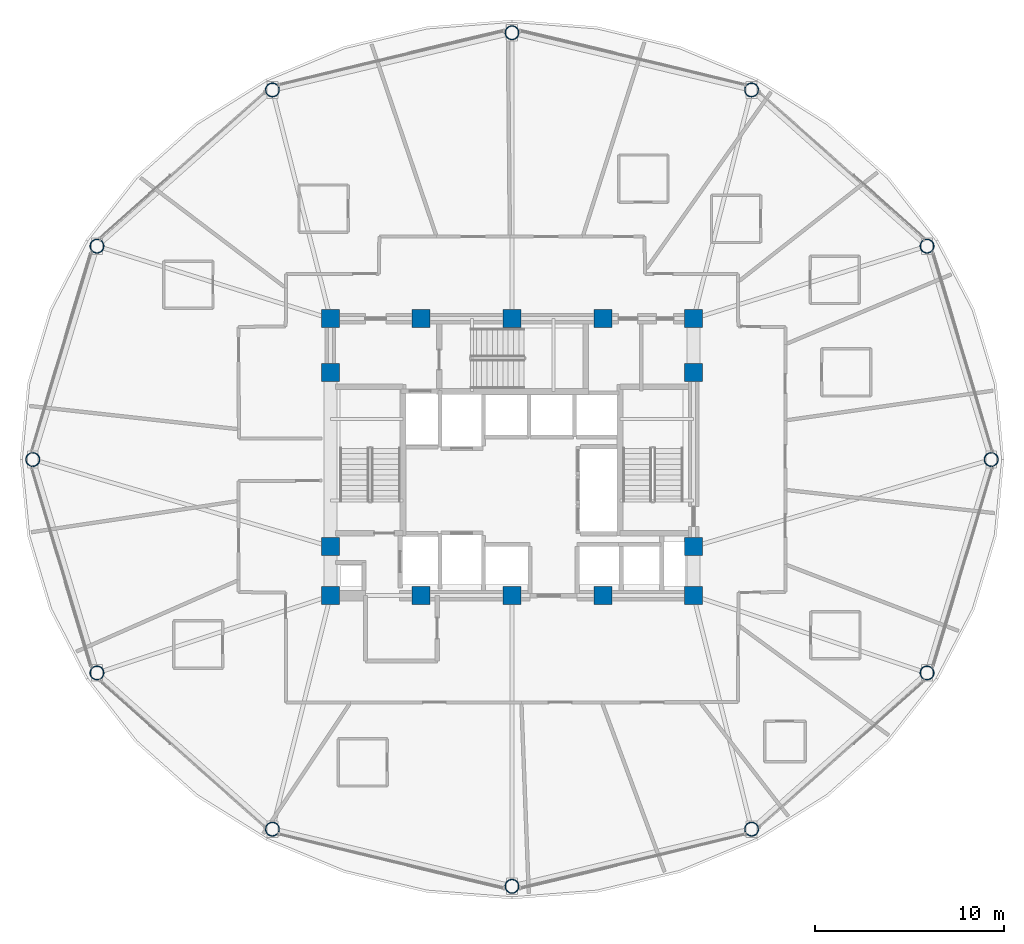
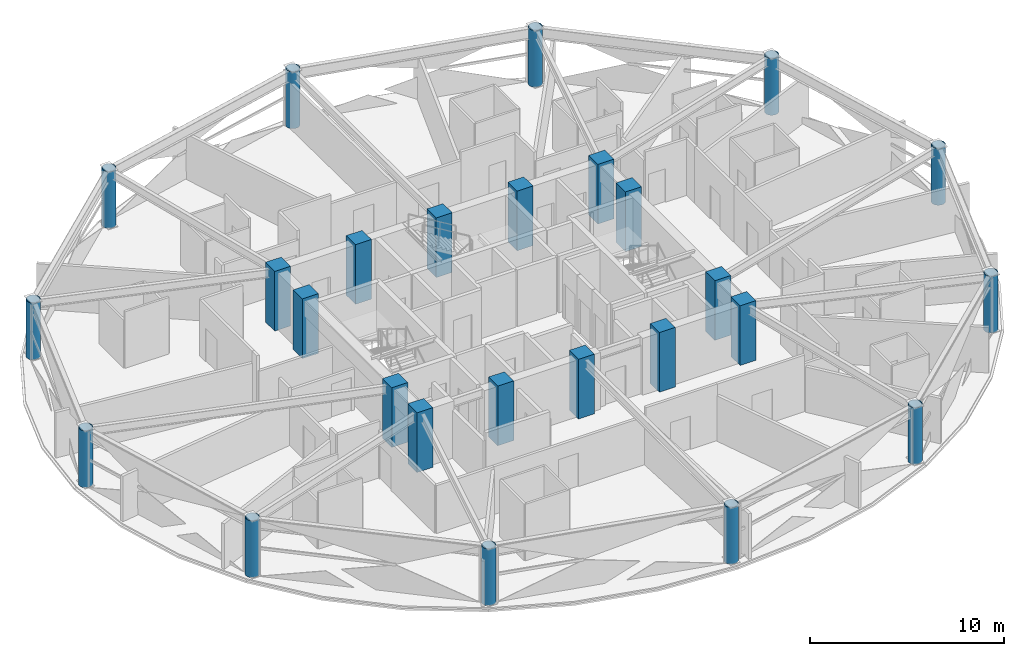
# One storey, part 1 of 31: 26 columns.
"""IFC4 building model written with IfcOpenShell, lengths in metres."""

from ifc_helpers import new_model, si_unit, direction, frame, origin, origin_2d, place, context, subcontext, project, spatial, rectangle, hollow_circle, extrude, material, material_profile, profile_set, type_object, element, save


model = new_model("IFC4")

# Units and contexts
model_context = context("Model", 3, precision=1e-05, world=origin(), true_north=direction((0.0, 1.0)))
body_context = subcontext(model_context, "Body", "Model", "MODEL_VIEW")
ifc_project = project(units=[si_unit("LENGTHUNIT", "METRE"), si_unit("AREAUNIT", "SQUARE_METRE"), si_unit("VOLUMEUNIT", "CUBIC_METRE"), si_unit("PLANEANGLEUNIT", "RADIAN"), si_unit("MASSUNIT", "GRAM", prefix="KILO")], contexts=[model_context])

# Site, building, storey
site_placement = place(None, origin())
site = spatial("IfcSite", under=ifc_project, at=site_placement, CompositionType="ELEMENT")
building_placement = place(site_placement, origin())
building = spatial("IfcBuilding", under=site, at=building_placement, Name="Vantalir Tower", CompositionType="ELEMENT")
storey_placement = place(building_placement, frame((0.0, 0.0, 123.449951171875)))
storey = spatial("IfcBuildingStorey", under=building, at=storey_placement, Name="L30", CompositionType="ELEMENT", Elevation=123.449951171875)

# Columns
ifc_material_1 = material(Name="Concrete C60/75", Category="concrete")
ifc_material_profile_1 = material_profile(ifc_material_1, rectangle(XDim=0.949951171875, YDim=0.949951171875, at=origin_2d()), Name="Concrete C60/75")
ifc_profile_set_1 = profile_set([ifc_material_profile_1], Name="Concrete C60/75")
column_type_1 = type_object("IfcColumnType", Name="COL-CC-950", PredefinedType="COLUMN", material=ifc_profile_set_1)
for number, where, z_axis, x_axis, name in (
    (1, (21.89990234375, 17.800048828125, 0.0), (0.0, 0.0, 1.0), (1.0, 0.0, 0.0), "L30 Core Column CC01"),
    (2, (26.699951171875, 17.800048828125, 0.0), (0.0, 0.0, 1.0), (1.0, 0.0, 0.0), "L30 Core Column CC02"),
    (3, (31.5, 17.800048828125, 0.0), (0.0, 0.0, 1.0), (1.0, 0.0, 0.0), "L30 Core Column CC03"),
    (4, (36.300048828125, 17.800048828125, 0.0), (0.0, 0.0, 1.0), (1.0, 0.0, 0.0), "L30 Core Column CC04"),
    (5, (41.10009765625, 17.800048828125, 0.0), (0.0, 0.0, 1.0), (1.0, 0.0, 0.0), "L30 Core Column CC05"),
    (6, (21.89990234375, 20.39990234375, 0.0), (0.0, 0.0, 1.0), (1.0, 0.0, 0.0), "L30 Core Column CC06"),
    (7, (21.89990234375, 29.60009765625, 0.0), (0.0, 0.0, 1.0), (1.0, 0.0, 0.0), "L30 Core Column CC07"),
    (8, (41.10009765625, 20.39990234375, 0.0), (0.0, 0.0, 1.0), (1.0, 0.0, 0.0), "L30 Core Column CC08"),
    (9, (41.10009765625, 29.60009765625, 0.0), (0.0, 0.0, 1.0), (1.0, 0.0, 0.0), "L30 Core Column CC09"),
    (10, (21.89990234375, 32.449951171875, 0.0), (0.0, 0.0, 1.0), (1.0, 0.0, 0.0), "L30 Core Column CC10"),
    (11, (26.699951171875, 32.449951171875, 0.0), (0.0, 0.0, 1.0), (1.0, 0.0, 0.0), "L30 Core Column CC11"),
    (12, (31.5, 32.449951171875, 0.0), (0.0, 0.0, 1.0), (1.0, 0.0, 0.0), "L30 Core Column CC12"),
    (13, (36.300048828125, 32.449951171875, 0.0), (0.0, 0.0, 1.0), (1.0, 0.0, 0.0), "L30 Core Column CC13"),
    (14, (41.10009765625, 32.449951171875, 0.0), (0.0, 0.0, 1.0), (1.0, 0.0, 0.0), "L30 Core Column CC14"),
):
    element("IfcColumn", number, at=place(storey_placement, frame(where, z_axis=z_axis, x_axis=x_axis)), inside=storey, type_object=column_type_1, Name=name, PredefinedType="COLUMN", context=body_context, shape_type="SweptSolid", body=[
        extrude(rectangle(XDim=0.949951171875, YDim=0.949951171875, at=origin_2d()), origin(), (0.0, 0.0, 1.0), 3.75),
    ])
ifc_material_2 = material(Name="Steel S460", Category="steel")
ifc_material_profile_2 = material_profile(ifc_material_2, hollow_circle(Radius=0.375, WallThickness=0.034912109375, at=origin_2d()), Name="Steel S460")
ifc_profile_set_2 = profile_set([ifc_material_profile_2], Name="Steel S460")
column_type_2 = type_object("IfcColumnType", Name="COL-RC-750", PredefinedType="COLUMN", material=ifc_profile_set_2)
for number, where, z_axis, x_axis, name in (
    (15, (56.840087890625, 25.0, 0.0), (0.0, 0.0, 1.0), (1.0, 0.0, 0.0), "L30 Perimeter Ring Column RC01"),
    (16, (53.445068359375, 36.282958984375, 0.0), (0.0, 0.0, 1.0), (1.0, 0.0, 0.0), "L30 Perimeter Ring Column RC02"),
    (17, (44.169921875, 44.54296875, 0.0), (0.0, 0.0, 1.0), (1.0, 0.0, 0.0), "L30 Perimeter Ring Column RC03"),
    (18, (31.5, 47.56591796875, 0.0), (0.0, 0.0, 1.0), (1.0, 0.0, 0.0), "L30 Perimeter Ring Column RC04"),
    (19, (18.830078125, 44.54296875, 0.0), (0.0, 0.0, 1.0), (1.0, 0.0, 0.0), "L30 Perimeter Ring Column RC05"),
    (20, (9.554931640625, 36.282958984375, 0.0), (0.0, 0.0, 1.0), (1.0, 0.0, 0.0), "L30 Perimeter Ring Column RC06"),
    (21, (6.159912109375, 25.0, 0.0), (0.0, 0.0, 1.0), (1.0, 0.0, 0.0), "L30 Perimeter Ring Column RC07"),
    (22, (9.554931640625, 13.717041015625, 0.0), (0.0, 0.0, 1.0), (1.0, 0.0, 0.0), "L30 Perimeter Ring Column RC08"),
    (23, (18.830078125, 5.45703125, 0.0), (0.0, 0.0, 1.0), (1.0, 0.0, 0.0), "L30 Perimeter Ring Column RC09"),
    (24, (31.5, 2.43408203125, 0.0), (0.0, 0.0, 1.0), (1.0, 0.0, 0.0), "L30 Perimeter Ring Column RC10"),
    (25, (44.169921875, 5.45703125, 0.0), (0.0, 0.0, 1.0), (1.0, 0.0, 0.0), "L30 Perimeter Ring Column RC11"),
    (26, (53.445068359375, 13.717041015625, 0.0), (0.0, 0.0, 1.0), (1.0, 0.0, 0.0), "L30 Perimeter Ring Column RC12"),
):
    element("IfcColumn", number, at=place(storey_placement, frame(where, z_axis=z_axis, x_axis=x_axis)), inside=storey, type_object=column_type_2, Name=name, PredefinedType="COLUMN", context=body_context, shape_type="SweptSolid", body=[
        extrude(hollow_circle(Radius=0.375, WallThickness=0.034912109375, at=origin_2d()), origin(), (0.0, 0.0, 1.0), 3.570068359375),
    ])

save(model, "model.ifc")
